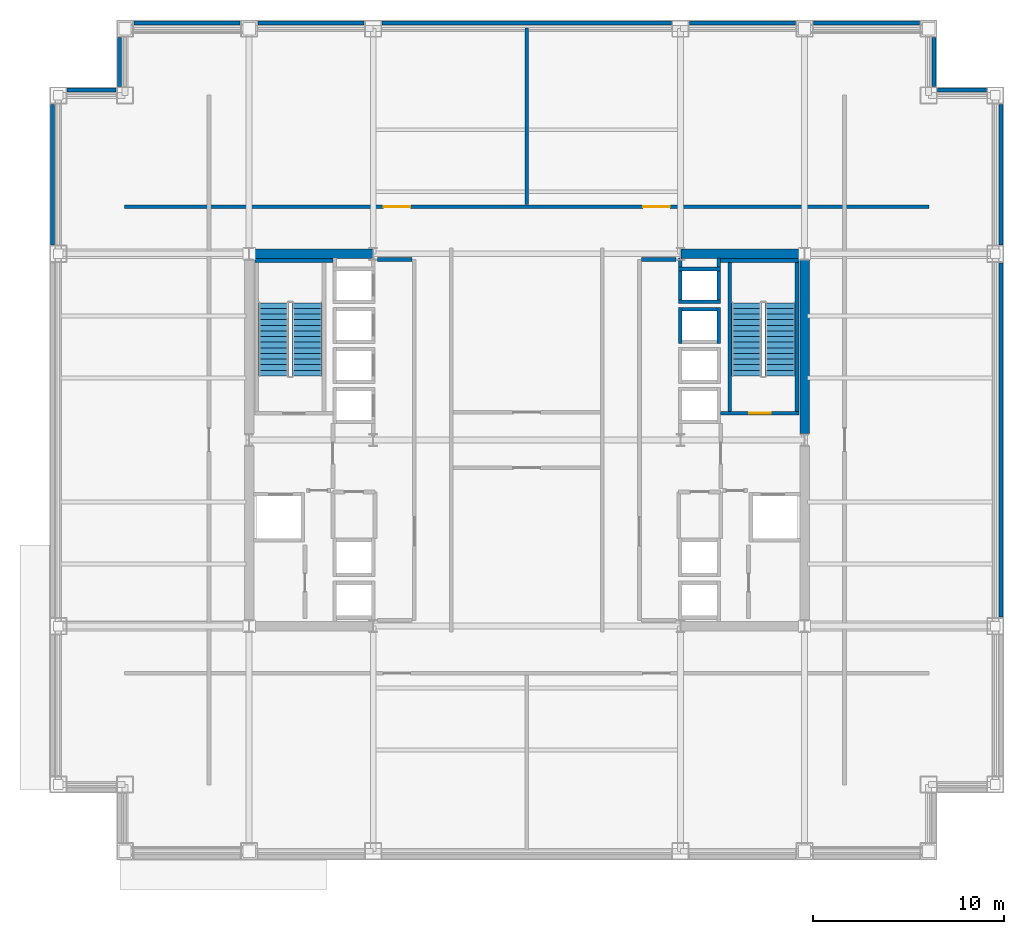
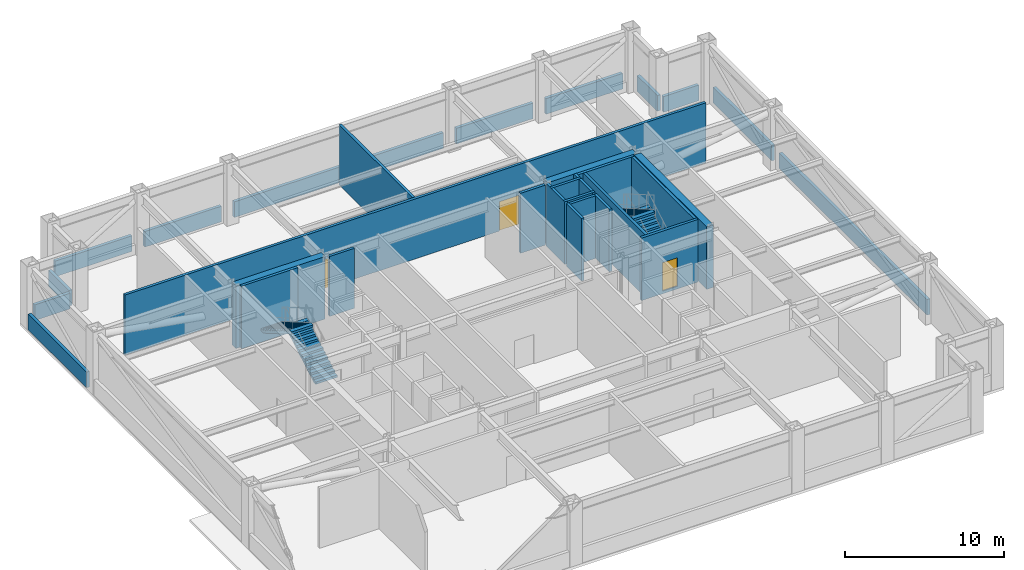
# One storey, part 5 of 8: 31 walls, 4 stair flights, 3 doors, 3 openings, 2 elements without a shape of their own.
"""IFC4 building model written with IfcOpenShell, lengths in metres."""

from ifc_helpers import new_model, si_unit, direction, frame, frame_2d, origin, place, context, subcontext, project, spatial, polyline, rectangle, outline, extrude, material, layer, layer_set, type_object, element, fill, aggregate, save


model = new_model("IFC4")

# Units and contexts
model_context = context("Model", 3, precision=1e-05, world=origin(), true_north=direction((0.0, 1.0)))
body_context = subcontext(model_context, "Body", "Model", "MODEL_VIEW")
ifc_project = project(units=[si_unit("LENGTHUNIT", "METRE"), si_unit("AREAUNIT", "SQUARE_METRE"), si_unit("VOLUMEUNIT", "CUBIC_METRE"), si_unit("PLANEANGLEUNIT", "RADIAN"), si_unit("MASSUNIT", "GRAM", prefix="KILO")], contexts=[model_context])

# Site, building, storey
site_placement = place(None, origin())
site = spatial("IfcSite", under=ifc_project, at=site_placement, CompositionType="ELEMENT")
building_placement = place(site_placement, origin())
building = spatial("IfcBuilding", under=site, at=building_placement, Name="Brelmoor Portico Tower", CompositionType="ELEMENT")
storey_placement = place(building_placement, frame((0.0, 0.0, 78.0)))
storey = spatial("IfcBuildingStorey", under=building, at=storey_placement, Name="L20", CompositionType="ELEMENT", Elevation=78.0)

# Walls
ifc_material_1 = material(Name="Concrete C60", Category="concrete")
ifc_layer_1 = layer(ifc_material_1, 0.5)
ifc_layer_set_1 = layer_set([ifc_layer_1], Name="Concrete C60")
wall_type_1 = type_object("IfcWallType", Name="WL-CORE-500", PredefinedType="SHEAR", material=ifc_layer_set_1)
for number, where, z_axis, x_axis, name in (
    (1, (-14.530029296875, 9.75, -0.199951171875), (0.0, 0.0, 1.0), (1.0, 0.0, 0.0), "L20 WC North Shear Wall"),
    (2, (8.070068359375, 9.75, -0.199951171875), (0.0, 0.0, 1.0), (1.0, 0.0, 0.0), "L20 EC North Shear Wall"),
):
    element("IfcWall", number, at=place(storey_placement, frame(where, z_axis=z_axis, x_axis=x_axis)), inside=storey, type_object=wall_type_1, Name=name, PredefinedType="SHEAR", context=body_context, shape_type="SweptSolid", body=[
        extrude(rectangle(XDim=6.4599609375, YDim=0.5, at=frame_2d((3.22998046875, 0.0))), origin(), (0.0, 0.0, 1.0), 4.800048828125),
    ])
wall_1_placement = place(storey_placement, frame((14.550048828125, 0.324951171875, -0.199951171875), z_axis=(0.0, 0.0, 1.0), x_axis=(0.0, 1.0, 0.0)))
element("IfcWall", 3, at=wall_1_placement, inside=storey, type_object=wall_type_1, Name="L20 EC Outer North Shear Wall", PredefinedType="SHEAR", context=body_context, shape_type="SweptSolid", body=[
    extrude(rectangle(XDim=9.10009765625, YDim=0.5, at=frame_2d((4.550048828125, 0.0))), origin(), (0.0, 0.0, 1.0), 4.800048828125),
])
ifc_material_2 = material(Name="Concrete C40 Parapet Upstand", Category="concrete")
ifc_layer_2 = layer(ifc_material_2, 0.219970703125)
ifc_layer_set_2 = layer_set([ifc_layer_2], Name="Concrete C40 Parapet Upstand")
wall_type_2 = type_object("IfcWallType", Name="WL-PARAPET-220", PredefinedType="PARAPET", material=ifc_layer_set_2)
wall_2_placement = place(storey_placement, frame((24.840087890625, -9.280029296875, 0.0), z_axis=(0.0, 0.0, 1.0), x_axis=(0.0, 1.0, 0.0)))
element("IfcWall", 4, at=wall_2_placement, inside=storey, type_object=wall_type_2, Name="L20 Plant Louvre Perimeter Upstand 09", PredefinedType="PARAPET", context=body_context, shape_type="SweptSolid", body=[
    extrude(rectangle(XDim=18.56005859375, YDim=0.219970703125, at=frame_2d((9.280029296875, 0.0))), origin(), (0.0, 0.0, 1.0), 1.199951171875),
])
wall_3_placement = place(storey_placement, frame((24.840087890625, 10.219970703125, 0.0), z_axis=(0.0, 0.0, 1.0), x_axis=(0.0, 1.0, 0.0)))
element("IfcWall", 5, at=wall_3_placement, inside=storey, type_object=wall_type_2, Name="L20 Plant Louvre Perimeter Upstand 10", PredefinedType="PARAPET", context=body_context, shape_type="SweptSolid", body=[
    extrude(rectangle(XDim=7.360107421875, YDim=0.219970703125, at=frame_2d((3.68017578125, 0.0))), origin(), (0.0, 0.0, 1.0), 1.199951171875),
])
for number, where, z_axis, x_axis, name in (
    (6, (24.080078125, 18.340087890625, 0.0), (0.0, 0.0, 1.0), (-1.0, 0.0, 0.0), "L20 Plant Louvre Perimeter Upstand 11"),
    (7, (21.340087890625, 18.52001953125, 0.0), (0.0, 0.0, 1.0), (0.0, 1.0, 0.0), "L20 Plant Louvre Perimeter Upstand 12"),
):
    element("IfcWall", number, at=place(storey_placement, frame(where, z_axis=z_axis, x_axis=x_axis)), inside=storey, type_object=wall_type_2, Name=name, PredefinedType="PARAPET", context=body_context, shape_type="SweptSolid", body=[
        extrude(rectangle(XDim=2.56005859375, YDim=0.219970703125, at=frame_2d((1.280029296875, 0.0))), origin(), (0.0, 0.0, 1.0), 1.199951171875),
    ])
for number, where, z_axis, x_axis, name in (
    (8, (20.580078125, 21.840087890625, 0.0), (0.0, 0.0, 1.0), (-1.0, 0.0, 0.0), "L20 Plant Louvre Perimeter Upstand 13"),
    (9, (14.080078125, 21.840087890625, 0.0), (0.0, 0.0, 1.0), (-1.0, 0.0, 0.0), "L20 Plant Louvre Perimeter Upstand 14"),
):
    element("IfcWall", number, at=place(storey_placement, frame(where, z_axis=z_axis, x_axis=x_axis)), inside=storey, type_object=wall_type_2, Name=name, PredefinedType="PARAPET", context=body_context, shape_type="SweptSolid", body=[
        extrude(rectangle(XDim=5.56005859375, YDim=0.219970703125, at=frame_2d((2.780029296875, 0.0))), origin(), (0.0, 0.0, 1.0), 1.199951171875),
    ])
wall_4_placement = place(storey_placement, frame((7.580078125, 21.840087890625, 0.0), z_axis=(0.0, 0.0, 1.0), x_axis=(-1.0, 0.0, 0.0)))
element("IfcWall", 10, at=wall_4_placement, inside=storey, type_object=wall_type_2, Name="L20 Plant Louvre Perimeter Upstand 15", PredefinedType="PARAPET", context=body_context, shape_type="SweptSolid", body=[
    extrude(rectangle(XDim=15.16015625, YDim=0.219970703125, at=frame_2d((7.580078125, 0.0))), origin(), (0.0, 0.0, 1.0), 1.199951171875),
])
for number, where, z_axis, x_axis, name in (
    (11, (-8.52001953125, 21.840087890625, 0.0), (0.0, 0.0, 1.0), (-1.0, 0.0, 0.0), "L20 Plant Louvre Perimeter Upstand 16"),
    (12, (-15.02001953125, 21.840087890625, 0.0), (0.0, 0.0, 1.0), (-1.0, 0.0, 0.0), "L20 Plant Louvre Perimeter Upstand 17"),
):
    element("IfcWall", number, at=place(storey_placement, frame(where, z_axis=z_axis, x_axis=x_axis)), inside=storey, type_object=wall_type_2, Name=name, PredefinedType="PARAPET", context=body_context, shape_type="SweptSolid", body=[
        extrude(rectangle(XDim=5.56005859375, YDim=0.219970703125, at=frame_2d((2.780029296875, 0.0))), origin(), (0.0, 0.0, 1.0), 1.199951171875),
    ])
for number, where, z_axis, x_axis, name in (
    (13, (-21.340087890625, 21.080078125, 0.0), (0.0, 0.0, 1.0), (0.0, -1.0, 0.0), "L20 Plant Louvre Perimeter Upstand 18"),
    (14, (-21.52001953125, 18.340087890625, 0.0), (0.0, 0.0, 1.0), (-1.0, 0.0, 0.0), "L20 Plant Louvre Perimeter Upstand 19"),
):
    element("IfcWall", number, at=place(storey_placement, frame(where, z_axis=z_axis, x_axis=x_axis)), inside=storey, type_object=wall_type_2, Name=name, PredefinedType="PARAPET", context=body_context, shape_type="SweptSolid", body=[
        extrude(rectangle(XDim=2.56005859375, YDim=0.219970703125, at=frame_2d((1.280029296875, 0.0))), origin(), (0.0, 0.0, 1.0), 1.199951171875),
    ])
wall_5_placement = place(storey_placement, frame((-24.840087890625, 17.580078125, 0.0), z_axis=(0.0, 0.0, 1.0), x_axis=(0.0, -1.0, 0.0)))
element("IfcWall", 15, at=wall_5_placement, inside=storey, type_object=wall_type_2, Name="L20 Plant Louvre Perimeter Upstand 20", PredefinedType="PARAPET", context=body_context, shape_type="SweptSolid", body=[
    extrude(rectangle(XDim=7.360107421875, YDim=0.219970703125, at=frame_2d((3.68017578125, 0.0))), origin(), (0.0, 0.0, 1.0), 1.199951171875),
])
ifc_material_3 = material(Name="Double-Stud Gypsum Fire Partition", Category="gypsum")
ifc_layer_3 = layer(ifc_material_3, 0.199951171875)
ifc_layer_set_3 = layer_set([ifc_layer_3], Name="Double-Stud Gypsum Fire Partition")
wall_type_3 = type_object("IfcWallType", Name="WL-PART-200", PredefinedType="PARTITIONING", material=ifc_layer_set_3)
for number, where, z_axis, x_axis, name in (
    (16, (-6.02001953125, 9.449951171875, 0.0), (0.0, 0.0, 1.0), (-1.0, 0.0, 0.0), "L20 W Lift Lobby North End Wall"),
    (17, (6.02001953125, 9.449951171875, 0.0), (0.0, 0.0, 1.0), (1.0, 0.0, 0.0), "L20 E Lift Lobby North End Wall"),
):
    element("IfcWall", number, at=place(storey_placement, frame(where, z_axis=z_axis, x_axis=x_axis)), inside=storey, type_object=wall_type_3, Name=name, PredefinedType="PARTITIONING", context=body_context, shape_type="SweptSolid", body=[
        extrude(rectangle(XDim=1.800048828125, YDim=0.199951171875, at=frame_2d((0.89990234375, 0.0))), origin(), (0.0, 0.0, 1.0), 4.60009765625),
    ])

# Wall, openings, doors
wall_6_placement = place(storey_placement, frame((-21.070068359375, 12.219970703125, 0.0), z_axis=(0.0, 0.0, 1.0), x_axis=(1.0, 0.0, 0.0)))
wall_6 = element("IfcWall", 18, at=wall_6_placement, inside=storey, type_object=wall_type_3, Name="L20 North Plant Wall", PredefinedType="PARTITIONING", context=body_context, shape_type="SweptSolid", body=[
    extrude(rectangle(XDim=42.14013671875, YDim=0.199951171875, at=frame_2d((21.070068359375, 0.0))), origin(), (0.0, 0.0, 1.0), 4.60009765625),
])
opening_1_placement = place(wall_6_placement, frame((13.570068359375, 0.0, 0.0)))
opening_1 = element("IfcOpeningElement", 19, at=opening_1_placement, cuts=wall_6, Name="Opening D-PL1", PredefinedType="OPENING", context=body_context, shape_type="SweptSolid", body=[
    extrude(rectangle(XDim=1.39990234375, YDim=2.25, at=frame_2d((0.699951171875, 1.125))), frame((0.0, 0.10986328125, 0.0), z_axis=(0.0, -1.0, 0.0), x_axis=(1.0, 0.0, 0.0)), (0.0, 0.0, 1.0), 0.219970703125),
])
opening_2_placement = place(wall_6_placement, frame((27.169921875, 0.0, 0.0)))
opening_2 = element("IfcOpeningElement", 20, at=opening_2_placement, cuts=wall_6, Name="Opening D-PL1", PredefinedType="OPENING", context=body_context, shape_type="SweptSolid", body=[
    extrude(rectangle(XDim=1.39990234375, YDim=2.25, at=frame_2d((0.699951171875, 1.125))), frame((0.0, 0.10986328125, 0.0), z_axis=(0.0, -1.0, 0.0), x_axis=(1.0, 0.0, 0.0)), (0.0, 0.0, 1.0), 0.219970703125),
])
ifc_material_4 = material(Name="Double-Leaf Acoustic Steel Plant Door", Category="steel")
door_type_1 = type_object("IfcDoorType", Name="DR-PLANT-1400", OperationType="NOTDEFINED", PredefinedType="DOOR", material=ifc_material_4)
door_1_placement = place(opening_1_placement, origin())
door_1 = element("IfcDoor", 21, at=door_1_placement, inside=storey, type_object=door_type_1, Name="D-0914 L20 Chiller Plant Door", OperationType="DOUBLE_DOOR_SINGLE_SWING", OverallHeight=2.25, OverallWidth=1.39990234375, PredefinedType="DOOR", context=body_context, shape_type="SweptSolid", body=[
    extrude(rectangle(XDim=1.39990234375, YDim=2.25, at=frame_2d((0.699951171875, 1.125))), frame((0.0, 0.02490234375, 0.0), z_axis=(0.0, -1.0, 0.0), x_axis=(1.0, 0.0, 0.0)), (0.0, 0.0, 1.0), 0.050048828125),
])
fill(opening_1, door_1)
door_2_placement = place(opening_2_placement, origin())
door_2 = element("IfcDoor", 22, at=door_2_placement, inside=storey, type_object=door_type_1, Name="D-0913 L20 Primary AHU Plant Door", OperationType="DOUBLE_DOOR_SINGLE_SWING", OverallHeight=2.25, OverallWidth=1.39990234375, PredefinedType="DOOR", context=body_context, shape_type="SweptSolid", body=[
    extrude(rectangle(XDim=1.39990234375, YDim=2.25, at=frame_2d((0.699951171875, 1.125))), frame((0.0, 0.02490234375, 0.0), z_axis=(0.0, -1.0, 0.0), x_axis=(1.0, 0.0, 0.0)), (0.0, 0.0, 1.0), 0.050048828125),
])
fill(opening_2, door_2)

# Walls
wall_7_placement = place(storey_placement, frame((0.0, 12.340087890625, 0.0), z_axis=(0.0, 0.0, 1.0), x_axis=(0.0, 1.0, 0.0)))
element("IfcWall", 23, at=wall_7_placement, inside=storey, type_object=wall_type_3, Name="L20 North Plant Divider", PredefinedType="PARTITIONING", context=body_context, shape_type="SweptSolid", body=[
    extrude(rectangle(XDim=9.22998046875, YDim=0.199951171875, at=frame_2d((4.614990234375, 0.0))), origin(), (0.0, 0.0, 1.0), 4.60009765625),
])
ifc_material_5 = material(Name="Precast Concrete C40", Category="concrete")
ifc_layer_4 = layer(ifc_material_5, 0.18994140625)
ifc_layer_set_4 = layer_set([ifc_layer_4], Name="Precast Concrete C40")
wall_type_4 = type_object("IfcWallType", Name="WL-SHAFT-180", PredefinedType="SOLIDWALL", material=ifc_layer_set_4)
for number, where, z_axis, x_axis, name in (
    (24, (8.044921875, 5.050048828125, -0.199951171875), (0.0, 0.0, 1.0), (0.0, 1.0, 0.0), "L20 Lift PM3 Hoistway Front Wall"),
    (25, (10.054931640625, 5.050048828125, -0.199951171875), (0.0, 0.0, 1.0), (0.0, 1.0, 0.0), "L20 Lift PM3 Hoistway Back Wall"),
):
    element("IfcWall", number, at=place(storey_placement, frame(where, z_axis=z_axis, x_axis=x_axis)), inside=storey, type_object=wall_type_4, Name=name, PredefinedType="SOLIDWALL", context=body_context, shape_type="SweptSolid", body=[
        extrude(rectangle(XDim=1.89990234375, YDim=0.18994140625, at=frame_2d((0.949951171875, 0.0))), origin(), (0.0, 0.0, 1.0), 4.800048828125),
    ])
wall_8_placement = place(storey_placement, frame((7.949951171875, 6.85498046875, -0.199951171875), z_axis=(0.0, 0.0, 1.0), x_axis=(1.0, 0.0, 0.0)))
element("IfcWall", 26, at=wall_8_placement, inside=storey, type_object=wall_type_4, Name="L20 Lift PM3 Hoistway North Wall", PredefinedType="SOLIDWALL", context=body_context, shape_type="SweptSolid", body=[
    extrude(rectangle(XDim=2.199951171875, YDim=0.18994140625, at=frame_2d((1.10009765625, 0.0))), origin(), (0.0, 0.0, 1.0), 4.800048828125),
])
for number, where, z_axis, x_axis, name in (
    (27, (8.044921875, 7.14990234375, -0.199951171875), (0.0, 0.0, 1.0), (0.0, 1.0, 0.0), "L20 Lift PM4 Hoistway Front Wall"),
    (28, (10.054931640625, 7.14990234375, -0.199951171875), (0.0, 0.0, 1.0), (0.0, 1.0, 0.0), "L20 Lift PM4 Hoistway Back Wall"),
):
    element("IfcWall", number, at=place(storey_placement, frame(where, z_axis=z_axis, x_axis=x_axis)), inside=storey, type_object=wall_type_4, Name=name, PredefinedType="SOLIDWALL", context=body_context, shape_type="SweptSolid", body=[
        extrude(rectangle(XDim=2.3701171875, YDim=0.18994140625, at=frame_2d((1.18505859375, 0.0))), origin(), (0.0, 0.0, 1.0), 4.800048828125),
    ])
for number, where, z_axis, x_axis, name in (
    (29, (7.949951171875, 8.955078125, -0.199951171875), (0.0, 0.0, 1.0), (1.0, 0.0, 0.0), "L20 Lift PM4 Hoistway North Wall"),
    (30, (7.949951171875, 7.2451171875, -0.199951171875), (0.0, 0.0, 1.0), (1.0, 0.0, 0.0), "L20 Lift PM4 Hoistway South Wall"),
):
    element("IfcWall", number, at=place(storey_placement, frame(where, z_axis=z_axis, x_axis=x_axis)), inside=storey, type_object=wall_type_4, Name=name, PredefinedType="SOLIDWALL", context=body_context, shape_type="SweptSolid", body=[
        extrude(rectangle(XDim=2.199951171875, YDim=0.18994140625, at=frame_2d((1.10009765625, 0.0))), origin(), (0.0, 0.0, 1.0), 4.800048828125),
    ])
ifc_material_6 = material(Name="Concrete C40", Category="concrete")
ifc_layer_5 = layer(ifc_material_6, 0.199951171875)
ifc_layer_set_5 = layer_set([ifc_layer_5], Name="Concrete C40")
wall_type_5 = type_object("IfcWallType", Name="WL-SHAFT-RC200", PredefinedType="SOLIDWALL", material=ifc_layer_set_5)
wall_9_placement = place(storey_placement, frame((14.14990234375, 1.5, -0.199951171875), z_axis=(0.0, 0.0, 1.0), x_axis=(0.0, 1.0, 0.0)))
element("IfcWall", 31, at=wall_9_placement, inside=storey, type_object=wall_type_5, Name="L20 ST-E Structural Stair Wall Outer", PredefinedType="SOLIDWALL", context=body_context, shape_type="SweptSolid", body=[
    extrude(rectangle(XDim=7.800048828125, YDim=0.199951171875, at=frame_2d((3.89990234375, 0.0))), origin(), (0.0, 0.0, 1.0), 4.800048828125),
])
wall_10_placement = place(storey_placement, frame((-14.25, 9.39990234375, -0.199951171875), z_axis=(0.0, 0.0, 1.0), x_axis=(1.0, 0.0, 0.0)))
element("IfcWall", 32, at=wall_10_placement, inside=storey, type_object=wall_type_5, Name="L20 ST-W Structural Stair Wall N", PredefinedType="SOLIDWALL", context=body_context, shape_type="SweptSolid", body=[
    extrude(rectangle(XDim=4.10009765625, YDim=0.199951171875, at=frame_2d((2.050048828125, 0.0))), origin(), (0.0, 0.0, 1.0), 4.800048828125),
])

# Wall, opening, door
wall_11_placement = place(storey_placement, frame((10.14990234375, 1.39990234375, -0.199951171875), z_axis=(0.0, 0.0, 1.0), x_axis=(1.0, 0.0, 0.0)))
wall_11 = element("IfcWall", 33, at=wall_11_placement, inside=storey, type_object=wall_type_5, Name="L20 ST-E Structural Stair Wall S", PredefinedType="SOLIDWALL", context=body_context, shape_type="SweptSolid", body=[
    extrude(rectangle(XDim=4.10009765625, YDim=0.199951171875, at=frame_2d((2.050048828125, 0.0))), origin(), (0.0, 0.0, 1.0), 4.800048828125),
])
opening_3_placement = place(wall_11_placement, frame((1.5, 0.0, 0.199951171875)))
opening_3 = element("IfcOpeningElement", 34, at=opening_3_placement, cuts=wall_11, Name="Opening D-ST1", PredefinedType="OPENING", context=body_context, shape_type="SweptSolid", body=[
    extrude(rectangle(XDim=1.1201171875, YDim=2.179931640625, at=frame_2d((0.56005859375, 1.08984375))), frame((0.0, 0.10986328125, 0.0), z_axis=(0.0, -1.0, 0.0), x_axis=(1.0, 0.0, 0.0)), (0.0, 0.0, 1.0), 0.219970703125),
])
ifc_material_7 = material(Name="Painted Galvanised Steel Fire Door", Category="steel")
door_type_2 = type_object("IfcDoorType", Name="DR-STAIR-1100", OperationType="NOTDEFINED", PredefinedType="DOOR", material=ifc_material_7)
door_3_placement = place(opening_3_placement, origin())
door_3 = element("IfcDoor", 35, at=door_3_placement, inside=storey, type_object=door_type_2, Name="D-0919 L20 ST-E Protected Exit Stair Door", OperationType="SINGLE_SWING_RIGHT", OverallHeight=2.179931640625, OverallWidth=1.1201171875, PredefinedType="DOOR", context=body_context, shape_type="SweptSolid", body=[
    extrude(rectangle(XDim=1.1201171875, YDim=2.179931640625, at=frame_2d((0.56005859375, 1.08984375))), frame((0.0, 0.02490234375, 0.0), z_axis=(0.0, -1.0, 0.0), x_axis=(1.0, 0.0, 0.0)), (0.0, 0.0, 1.0), 0.050048828125),
])
fill(opening_3, door_3)

# Walls
wall_12_placement = place(storey_placement, frame((10.14990234375, 9.39990234375, -0.199951171875), z_axis=(0.0, 0.0, 1.0), x_axis=(1.0, 0.0, 0.0)))
element("IfcWall", 36, at=wall_12_placement, inside=storey, type_object=wall_type_5, Name="L20 ST-E Structural Stair Wall N", PredefinedType="SOLIDWALL", context=body_context, shape_type="SweptSolid", body=[
    extrude(rectangle(XDim=4.10009765625, YDim=0.199951171875, at=frame_2d((2.050048828125, 0.0))), origin(), (0.0, 0.0, 1.0), 4.800048828125),
])
wall_13_placement = place(storey_placement, frame((10.6298828125, 1.5, -0.199951171875), z_axis=(0.0, 0.0, 1.0), x_axis=(0.0, 1.0, 0.0)))
element("IfcWall", 37, at=wall_13_placement, inside=storey, type_object=wall_type_5, Name="L20 ST-E Structural Stair Wall Inner", PredefinedType="SOLIDWALL", context=body_context, shape_type="SweptSolid", body=[
    extrude(rectangle(XDim=7.800048828125, YDim=0.199951171875, at=frame_2d((3.89990234375, 0.0))), origin(), (0.0, 0.0, 1.0), 4.800048828125),
])

# Stair, stair flights
stair_type_1 = type_object("IfcStairType", Name="ST-CORE-W", PredefinedType="HALF_TURN_STAIR", material=ifc_material_6)
stair_1_placement = place(storey_placement, origin())
stair_1 = element("IfcStair", 38, at=stair_1_placement, inside=storey, type_object=stair_type_1, Name="L20 Protected Core Exit Stair ST-W", PredefinedType="HALF_TURN_STAIR")
stair_flight_type = type_object("IfcStairFlightType", Name="SF-CORE-1850", PredefinedType="STRAIGHT", material=ifc_material_6)
stair_flight_1_placement = place(storey_placement, frame((-11.510009765625, 3.35009765625, 0.0), z_axis=(0.0, 0.0, 1.0), x_axis=(0.0, 1.0, 0.0)))
stair_flight_1 = element("IfcStairFlight", 39, at=stair_flight_1_placement, type_object=stair_flight_type, Name="ST-W flight 1", NumberOfRisers=14, NumberOfTreads=13, PredefinedType="STRAIGHT", RiserHeight=0.171428571, TreadLength=0.295, context=body_context, shape_type="SweptSolid", body=[
    extrude(outline(polyline([(0.0, 0.0), (0.0, 0.17138671875), (0.294921875, 0.17138671875), (0.294921875, 0.3427734375), (0.590087890625, 0.3427734375), (0.590087890625, 0.514404296875), (0.885009765625, 0.514404296875), (0.885009765625, 0.685791015625), (1.179931640625, 0.685791015625), (1.179931640625, 0.857177734375), (1.47509765625, 0.857177734375), (1.47509765625, 1.028564453125), (1.77001953125, 1.028564453125), (1.77001953125, 1.199951171875), (2.06494140625, 1.199951171875), (2.06494140625, 1.371337890625), (2.360107421875, 1.371337890625), (2.360107421875, 1.54296875), (2.655029296875, 1.54296875), (2.655029296875, 1.71435546875), (2.949951171875, 1.71435546875), (2.949951171875, 1.8857421875), (3.2451171875, 1.8857421875), (3.2451171875, 2.05712890625), (3.5400390625, 2.05712890625), (3.5400390625, 2.228515625), (3.8349609375, 2.228515625), (3.8349609375, 2.39990234375), (3.8349609375, 2.05517578125), (0.29833984375, 0.0), (0.0, 0.0)])), frame((0.0, 0.780029296875, 0.0), z_axis=(0.0, -1.0, 0.0), x_axis=(1.0, 0.0, 0.0)), (0.0, 0.0, 1.0), 1.56005859375),
])
stair_flight_2_placement = place(storey_placement, frame((-13.27001953125, 7.18505859375, 2.39990234375), z_axis=(0.0, 0.0, 1.0), x_axis=(0.0, -1.0, 0.0)))
stair_flight_2 = element("IfcStairFlight", 40, at=stair_flight_2_placement, type_object=stair_flight_type, Name="ST-W flight 2", NumberOfRisers=14, NumberOfTreads=13, PredefinedType="STRAIGHT", RiserHeight=0.171428571, TreadLength=0.295, context=body_context, shape_type="SweptSolid", body=[
    extrude(outline(polyline([(0.0, 0.0), (0.0, 0.17138671875), (0.294921875, 0.17138671875), (0.294921875, 0.3427734375), (0.590087890625, 0.3427734375), (0.590087890625, 0.514404296875), (0.885009765625, 0.514404296875), (0.885009765625, 0.685791015625), (1.179931640625, 0.685791015625), (1.179931640625, 0.857177734375), (1.47509765625, 0.857177734375), (1.47509765625, 1.028564453125), (1.77001953125, 1.028564453125), (1.77001953125, 1.199951171875), (2.06494140625, 1.199951171875), (2.06494140625, 1.371337890625), (2.360107421875, 1.371337890625), (2.360107421875, 1.54296875), (2.655029296875, 1.54296875), (2.655029296875, 1.71435546875), (2.949951171875, 1.71435546875), (2.949951171875, 1.8857421875), (3.2451171875, 1.8857421875), (3.2451171875, 2.05712890625), (3.5400390625, 2.05712890625), (3.5400390625, 2.228515625), (3.8349609375, 2.228515625), (3.8349609375, 2.39990234375), (3.8349609375, 2.05517578125), (0.29833984375, 0.0), (0.0, 0.0)])), frame((0.0, 0.780029296875, 0.0), z_axis=(0.0, -1.0, 0.0), x_axis=(1.0, 0.0, 0.0)), (0.0, 0.0, 1.0), 1.56005859375),
])
aggregate(stair_1, [stair_flight_1, stair_flight_2])

stair_type_2 = type_object("IfcStairType", Name="ST-CORE-E", PredefinedType="HALF_TURN_STAIR", material=ifc_material_6)
stair_2_placement = place(storey_placement, origin())
stair_2 = element("IfcStair", 41, at=stair_2_placement, inside=storey, type_object=stair_type_2, Name="L20 Protected Core Exit Stair ST-E", PredefinedType="HALF_TURN_STAIR")
stair_flight_3_placement = place(storey_placement, frame((13.27001953125, 3.35009765625, 0.0), z_axis=(0.0, 0.0, 1.0), x_axis=(0.0, 1.0, 0.0)))
stair_flight_3 = element("IfcStairFlight", 42, at=stair_flight_3_placement, type_object=stair_flight_type, Name="ST-E flight 1", NumberOfRisers=14, NumberOfTreads=13, PredefinedType="STRAIGHT", RiserHeight=0.171428571, TreadLength=0.295, context=body_context, shape_type="SweptSolid", body=[
    extrude(outline(polyline([(0.0, 0.0), (0.0, 0.17138671875), (0.294921875, 0.17138671875), (0.294921875, 0.3427734375), (0.590087890625, 0.3427734375), (0.590087890625, 0.514404296875), (0.885009765625, 0.514404296875), (0.885009765625, 0.685791015625), (1.179931640625, 0.685791015625), (1.179931640625, 0.857177734375), (1.47509765625, 0.857177734375), (1.47509765625, 1.028564453125), (1.77001953125, 1.028564453125), (1.77001953125, 1.199951171875), (2.06494140625, 1.199951171875), (2.06494140625, 1.371337890625), (2.360107421875, 1.371337890625), (2.360107421875, 1.54296875), (2.655029296875, 1.54296875), (2.655029296875, 1.71435546875), (2.949951171875, 1.71435546875), (2.949951171875, 1.8857421875), (3.2451171875, 1.8857421875), (3.2451171875, 2.05712890625), (3.5400390625, 2.05712890625), (3.5400390625, 2.228515625), (3.8349609375, 2.228515625), (3.8349609375, 2.39990234375), (3.8349609375, 2.05517578125), (0.29833984375, 0.0), (0.0, 0.0)])), frame((0.0, 0.780029296875, 0.0), z_axis=(0.0, -1.0, 0.0), x_axis=(1.0, 0.0, 0.0)), (0.0, 0.0, 1.0), 1.56005859375),
])
stair_flight_4_placement = place(storey_placement, frame((11.510009765625, 7.18505859375, 2.39990234375), z_axis=(0.0, 0.0, 1.0), x_axis=(0.0, -1.0, 0.0)))
stair_flight_4 = element("IfcStairFlight", 43, at=stair_flight_4_placement, type_object=stair_flight_type, Name="ST-E flight 2", NumberOfRisers=14, NumberOfTreads=13, PredefinedType="STRAIGHT", RiserHeight=0.171428571, TreadLength=0.295, context=body_context, shape_type="SweptSolid", body=[
    extrude(outline(polyline([(0.0, 0.0), (0.0, 0.17138671875), (0.294921875, 0.17138671875), (0.294921875, 0.3427734375), (0.590087890625, 0.3427734375), (0.590087890625, 0.514404296875), (0.885009765625, 0.514404296875), (0.885009765625, 0.685791015625), (1.179931640625, 0.685791015625), (1.179931640625, 0.857177734375), (1.47509765625, 0.857177734375), (1.47509765625, 1.028564453125), (1.77001953125, 1.028564453125), (1.77001953125, 1.199951171875), (2.06494140625, 1.199951171875), (2.06494140625, 1.371337890625), (2.360107421875, 1.371337890625), (2.360107421875, 1.54296875), (2.655029296875, 1.54296875), (2.655029296875, 1.71435546875), (2.949951171875, 1.71435546875), (2.949951171875, 1.8857421875), (3.2451171875, 1.8857421875), (3.2451171875, 2.05712890625), (3.5400390625, 2.05712890625), (3.5400390625, 2.228515625), (3.8349609375, 2.228515625), (3.8349609375, 2.39990234375), (3.8349609375, 2.05517578125), (0.29833984375, 0.0), (0.0, 0.0)])), frame((0.0, 0.780029296875, 0.0), z_axis=(0.0, -1.0, 0.0), x_axis=(1.0, 0.0, 0.0)), (0.0, 0.0, 1.0), 1.56005859375),
])
aggregate(stair_2, [stair_flight_3, stair_flight_4])

save(model, "model.ifc")
